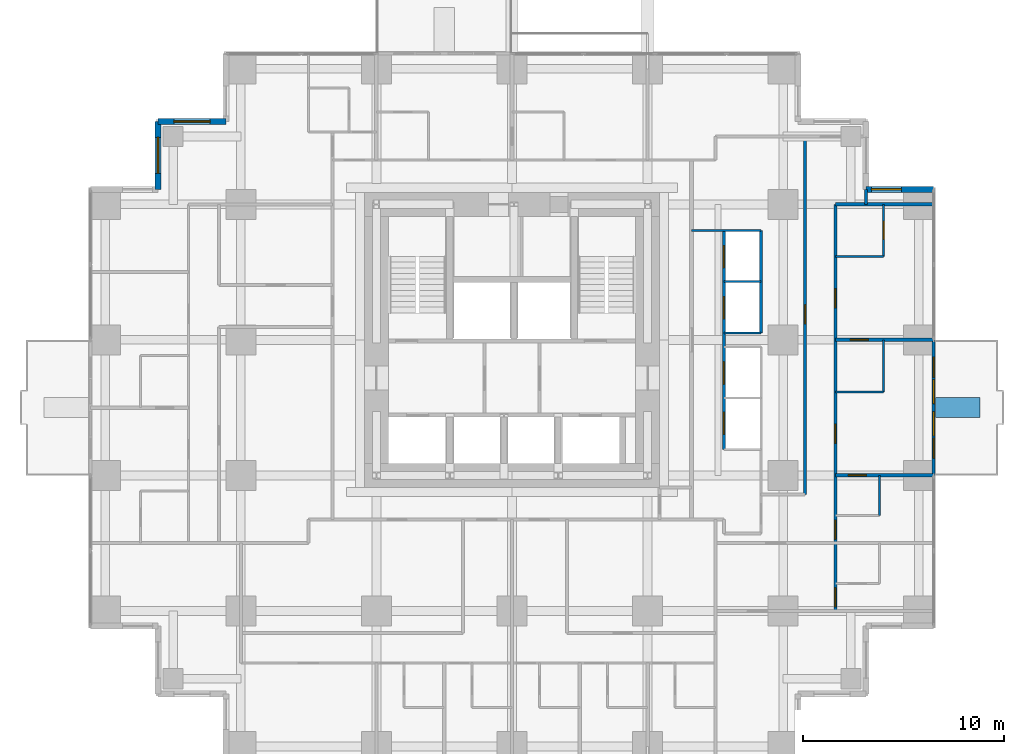
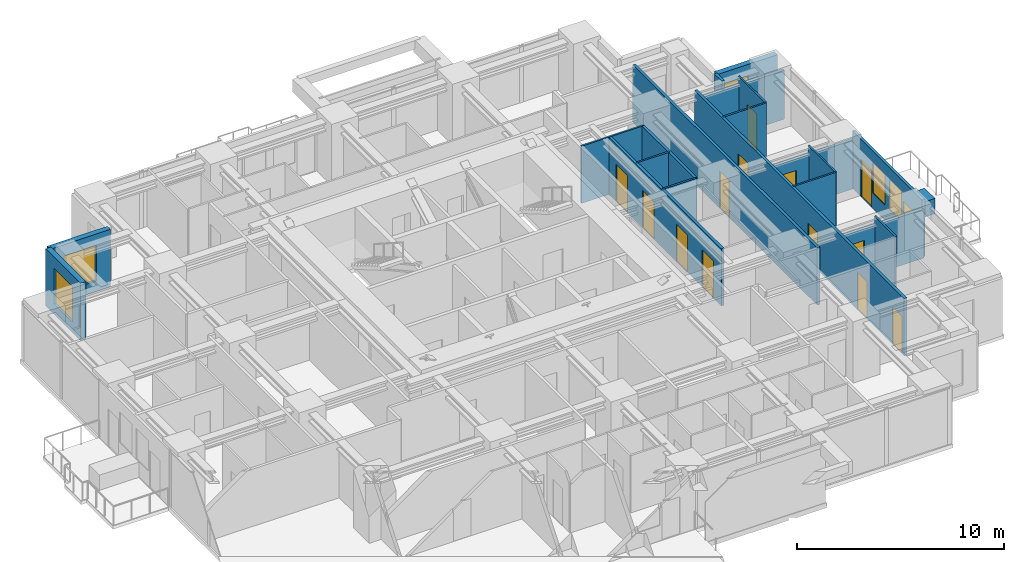
# One storey, part 10 of 13: 21 walls, 14 doors, 5 windows, 19 openings.
"""IFC4 building model written with IfcOpenShell, lengths in metres."""

from ifc_helpers import new_model, si_unit, direction, frame, frame_2d, origin, place, context, subcontext, project, spatial, rectangle, extrude, material, layer, layer_set, type_object, element, fill, save


model = new_model("IFC4")

# Units and contexts
model_context = context("Model", 3, precision=1e-05, world=origin(), true_north=direction((0.0, 1.0)))
body_context = subcontext(model_context, "Body", "Model", "MODEL_VIEW")
ifc_project = project(units=[si_unit("LENGTHUNIT", "METRE"), si_unit("AREAUNIT", "SQUARE_METRE"), si_unit("VOLUMEUNIT", "CUBIC_METRE"), si_unit("PLANEANGLEUNIT", "RADIAN"), si_unit("MASSUNIT", "GRAM", prefix="KILO")], contexts=[model_context])

# Site, building, storey
site_placement = place(None, origin())
site = spatial("IfcSite", under=ifc_project, at=site_placement, CompositionType="ELEMENT")
building_placement = place(site_placement, origin())
building = spatial("IfcBuilding", under=site, at=building_placement, Name="Nyansa Garden Tower", CompositionType="ELEMENT")
storey_placement = place(building_placement, frame((0.0, 0.0, 123.300048828125)))
storey = spatial("IfcBuildingStorey", under=building, at=storey_placement, Name="L33", CompositionType="ELEMENT", Elevation=123.300048828125)

# Wall, opening, door
ifc_material_1 = material(Name="Dense blockwork, plastered both sides, 55 dB", Category="masonry")
ifc_layer_1 = layer(ifc_material_1, 0.175048828125)
ifc_layer_set_1 = layer_set([ifc_layer_1], Name="Acoustic party wall PW175")
wall_type_1 = type_object("IfcWallType", Name="Acoustic party wall PW175", PredefinedType="PARTITIONING", material=ifc_layer_set_1)
wall_1_placement = place(storey_placement, frame((36.35009765625, 13.5, 0.0), z_axis=(0.0, 0.0, 1.0), x_axis=(1.0, 0.0, 0.0)))
wall_1 = element("IfcWall", 1, at=wall_1_placement, inside=storey, type_object=wall_type_1, Name="Party wall", PredefinedType="PARTITIONING", context=body_context, shape_type="SweptSolid", body=[
    extrude(rectangle(XDim=4.8837890625, YDim=0.175048828125, at=frame_2d((2.44189453125, 0.0))), origin(), (0.0, 0.0, 1.0), 2.876953125),
])
opening_1_placement = place(wall_1_placement, frame((0.64990234375, 0.0, 0.0)))
opening_1 = element("IfcOpeningElement", 2, at=opening_1_placement, cuts=wall_1, Name="Opening D02", PredefinedType="OPENING", context=body_context, shape_type="SweptSolid", body=[
    extrude(rectangle(XDim=0.89990234375, YDim=2.199951171875, at=frame_2d((0.449951171875, 1.10009765625))), frame((0.0, 0.097412109375, 0.0), z_axis=(0.0, -1.0, 0.0), x_axis=(1.0, 0.0, 0.0)), (0.0, 0.0, 1.0), 0.195068359375),
])
ifc_material_2 = material(Name="Timber flush door", Category="wood")
door_type_1 = type_object("IfcDoorType", Name="En-suite door D02 900x2200", OperationType="SINGLE_SWING_RIGHT", PredefinedType="DOOR", material=ifc_material_2)
door_1_placement = place(opening_1_placement, origin())
door_1 = element("IfcDoor", 3, at=door_1_placement, inside=storey, type_object=door_type_1, Name="Door L33-041", OperationType="SINGLE_SWING_RIGHT", OverallHeight=2.199951171875, OverallWidth=0.89990234375, PredefinedType="DOOR", context=body_context, shape_type="SweptSolid", body=[
    extrude(rectangle(XDim=0.89990234375, YDim=2.199951171875, at=frame_2d((0.449951171875, 1.10009765625))), frame((0.0, 0.02490234375, 0.0), z_axis=(0.0, -1.0, 0.0), x_axis=(1.0, 0.0, 0.0)), (0.0, 0.0, 1.0), 0.050048828125),
])
fill(opening_1, door_1)

wall_2_placement = place(storey_placement, frame((36.35009765625, 20.25, 0.0), z_axis=(0.0, 0.0, 1.0), x_axis=(1.0, 0.0, 0.0)))
wall_2 = element("IfcWall", 4, at=wall_2_placement, inside=storey, type_object=wall_type_1, Name="Party wall", PredefinedType="PARTITIONING", context=body_context, shape_type="SweptSolid", body=[
    extrude(rectangle(XDim=4.8837890625, YDim=0.175048828125, at=frame_2d((2.44189453125, 0.0))), origin(), (0.0, 0.0, 1.0), 2.876953125),
])
opening_2_placement = place(wall_2_placement, frame((0.75, 0.0, 0.0)))
opening_2 = element("IfcOpeningElement", 5, at=opening_2_placement, cuts=wall_2, Name="Opening D02", PredefinedType="OPENING", context=body_context, shape_type="SweptSolid", body=[
    extrude(rectangle(XDim=0.89990234375, YDim=2.199951171875, at=frame_2d((0.449951171875, 1.10009765625))), frame((0.0, 0.097412109375, 0.0), z_axis=(0.0, -1.0, 0.0), x_axis=(1.0, 0.0, 0.0)), (0.0, 0.0, 1.0), 0.195068359375),
])
door_2_placement = place(opening_2_placement, origin())
door_2 = element("IfcDoor", 6, at=door_2_placement, inside=storey, type_object=door_type_1, Name="Door L33-039", OperationType="SINGLE_SWING_RIGHT", OverallHeight=2.199951171875, OverallWidth=0.89990234375, PredefinedType="DOOR", context=body_context, shape_type="SweptSolid", body=[
    extrude(rectangle(XDim=0.89990234375, YDim=2.199951171875, at=frame_2d((0.449951171875, 1.10009765625))), frame((0.0, 0.02490234375, 0.0), z_axis=(0.0, -1.0, 0.0), x_axis=(1.0, 0.0, 0.0)), (0.0, 0.0, 1.0), 0.050048828125),
])
fill(opening_2, door_2)

# Wall
wall_3_placement = place(storey_placement, frame((36.35009765625, 27.0, 0.0), z_axis=(0.0, 0.0, 1.0), x_axis=(1.0, 0.0, 0.0)))
element("IfcWall", 7, at=wall_3_placement, inside=storey, type_object=wall_type_1, Name="Party wall", PredefinedType="PARTITIONING", context=body_context, shape_type="SweptSolid", body=[
    extrude(rectangle(XDim=4.8837890625, YDim=0.175048828125, at=frame_2d((2.44189453125, 0.0))), origin(), (0.0, 0.0, 1.0), 2.876953125),
])

# Wall, openings, doors, windows
ifc_material_3 = material(Name="Black aluminium framed glazed screen", Category="aluminium")
ifc_layer_2 = layer(ifc_material_3, 0.14990234375)
ifc_layer_set_2 = layer_set([ifc_layer_2], Name="Balcony screen wall BW150")
wall_type_2 = type_object("IfcWallType", Name="Balcony screen wall BW150", PredefinedType="SOLIDWALL", material=ifc_layer_set_2)
wall_4_placement = place(storey_placement, frame((41.25, 20.25, 0.0), z_axis=(0.0, 0.0, 1.0), x_axis=(0.0, -1.0, 0.0)))
wall_4 = element("IfcWall", 8, at=wall_4_placement, inside=storey, type_object=wall_type_2, Name="Glazed screen wall L33 E", PredefinedType="SOLIDWALL", context=body_context, shape_type="SweptSolid", body=[
    extrude(rectangle(XDim=6.75, YDim=0.14990234375, at=frame_2d((3.375, 0.0))), origin(), (0.0, 0.0, 1.0), 3.375),
])
opening_3_placement = place(wall_4_placement, frame((0.862548828125, 0.0, 0.0)))
opening_3 = element("IfcOpeningElement", 9, at=opening_3_placement, cuts=wall_4, Name="Opening D20", PredefinedType="OPENING", context=body_context, shape_type="SweptSolid", body=[
    extrude(rectangle(XDim=1.0, YDim=2.199951171875, at=frame_2d((0.5, 1.10009765625))), frame((0.0, 0.0849609375, 0.0), z_axis=(0.0, -1.0, 0.0), x_axis=(1.0, 0.0, 0.0)), (0.0, 0.0, 1.0), 0.169921875),
])
opening_4_placement = place(wall_4_placement, frame((1.97509765625, 0.0, 0.89990234375)))
opening_4 = element("IfcOpeningElement", 10, at=opening_4_placement, cuts=wall_4, Name="Opening W6", PredefinedType="OPENING", context=body_context, shape_type="SweptSolid", body=[
    extrude(rectangle(XDim=1.199951171875, YDim=1.800048828125, at=frame_2d((0.60009765625, 0.89990234375))), frame((0.0, 0.0849609375, 0.0), z_axis=(0.0, -1.0, 0.0), x_axis=(1.0, 0.0, 0.0)), (0.0, 0.0, 1.0), 0.169921875),
])
opening_5_placement = place(wall_4_placement, frame((4.887451171875, 0.0, 0.0)))
opening_5 = element("IfcOpeningElement", 11, at=opening_5_placement, cuts=wall_4, Name="Opening D20", PredefinedType="OPENING", context=body_context, shape_type="SweptSolid", body=[
    extrude(rectangle(XDim=1.0, YDim=2.199951171875, at=frame_2d((0.5, 1.10009765625))), frame((0.0, 0.0849609375, 0.0), z_axis=(0.0, -1.0, 0.0), x_axis=(1.0, 0.0, 0.0)), (0.0, 0.0, 1.0), 0.169921875),
])
opening_6_placement = place(wall_4_placement, frame((3.574951171875, 0.0, 0.89990234375)))
opening_6 = element("IfcOpeningElement", 12, at=opening_6_placement, cuts=wall_4, Name="Opening W6", PredefinedType="OPENING", context=body_context, shape_type="SweptSolid", body=[
    extrude(rectangle(XDim=1.199951171875, YDim=1.800048828125, at=frame_2d((0.60009765625, 0.89990234375))), frame((0.0, 0.0849609375, 0.0), z_axis=(0.0, -1.0, 0.0), x_axis=(1.0, 0.0, 0.0)), (0.0, 0.0, 1.0), 0.169921875),
])
ifc_material_4 = material(Name="Black aluminium framed glazed door", Category="aluminium")
door_type_2 = type_object("IfcDoorType", Name="Balcony door D20 1000x2200", OperationType="NOTDEFINED", PredefinedType="DOOR", material=ifc_material_4)
door_3_placement = place(opening_3_placement, origin())
door_3 = element("IfcDoor", 13, at=door_3_placement, inside=storey, type_object=door_type_2, Name="Balcony door L33", OperationType="SINGLE_SWING_LEFT", OverallHeight=2.199951171875, OverallWidth=1.0, PredefinedType="DOOR", context=body_context, shape_type="SweptSolid", body=[
    extrude(rectangle(XDim=1.0, YDim=2.199951171875, at=frame_2d((0.5, 1.10009765625))), frame((0.0, 0.02490234375, 0.0), z_axis=(0.0, -1.0, 0.0), x_axis=(1.0, 0.0, 0.0)), (0.0, 0.0, 1.0), 0.050048828125),
])
fill(opening_3, door_3)
door_4_placement = place(opening_5_placement, origin())
door_4 = element("IfcDoor", 14, at=door_4_placement, inside=storey, type_object=door_type_2, Name="Balcony door L33", OperationType="SINGLE_SWING_RIGHT", OverallHeight=2.199951171875, OverallWidth=1.0, PredefinedType="DOOR", context=body_context, shape_type="SweptSolid", body=[
    extrude(rectangle(XDim=1.0, YDim=2.199951171875, at=frame_2d((0.5, 1.10009765625))), frame((0.0, 0.02490234375, 0.0), z_axis=(0.0, -1.0, 0.0), x_axis=(1.0, 0.0, 0.0)), (0.0, 0.0, 1.0), 0.050048828125),
])
fill(opening_5, door_4)
ifc_material_5 = material(Name="Black aluminium frame, dark tinted double glazing", Category="aluminium")
window_type_1 = type_object("IfcWindowType", Name="Balcony window W6 1200x1800", PartitioningType="SINGLE_PANEL", PredefinedType="WINDOW", material=ifc_material_5)
window_1_placement = place(opening_4_placement, origin())
window_1 = element("IfcWindow", 15, at=window_1_placement, inside=storey, type_object=window_type_1, Name="Window L33", OverallHeight=1.800048828125, OverallWidth=1.199951171875, PartitioningType="SINGLE_PANEL", PredefinedType="WINDOW", context=body_context, shape_type="SweptSolid", body=[
    extrude(rectangle(XDim=1.199951171875, YDim=1.800048828125, at=frame_2d((0.60009765625, 0.89990234375))), frame((0.0, 0.030029296875, 0.0), z_axis=(0.0, -1.0, 0.0), x_axis=(1.0, 0.0, 0.0)), (0.0, 0.0, 1.0), 0.06005859375),
])
fill(opening_4, window_1)
window_2_placement = place(opening_6_placement, origin())
window_2 = element("IfcWindow", 16, at=window_2_placement, inside=storey, type_object=window_type_1, Name="Window L33", OverallHeight=1.800048828125, OverallWidth=1.199951171875, PartitioningType="SINGLE_PANEL", PredefinedType="WINDOW", context=body_context, shape_type="SweptSolid", body=[
    extrude(rectangle(XDim=1.199951171875, YDim=1.800048828125, at=frame_2d((0.60009765625, 0.89990234375))), frame((0.0, 0.030029296875, 0.0), z_axis=(0.0, -1.0, 0.0), x_axis=(1.0, 0.0, 0.0)), (0.0, 0.0, 1.0), 0.06005859375),
])
fill(opening_6, window_2)

# Walls
ifc_material_6 = material(Name="Steel-stud shaft wall, two layers fire-rated board, EI 120", Category="steel")
ifc_layer_3 = layer(ifc_material_6, 0.10009765625)
ifc_layer_set_3 = layer_set([ifc_layer_3], Name="Lift shaft wall SW100")
wall_type_3 = type_object("IfcWallType", Name="Lift shaft wall SW100", PredefinedType="SHEAR", material=ifc_layer_set_3)
wall_5_placement = place(storey_placement, frame((29.199951171875, 25.699951171875, 0.0), z_axis=(0.0, 0.0, 1.0), x_axis=(1.0, 0.0, 0.0)))
element("IfcWall", 17, at=wall_5_placement, inside=storey, type_object=wall_type_3, Name="Lift shaft wall", PredefinedType="SHEAR", context=body_context, shape_type="SweptSolid", body=[
    extrude(rectangle(XDim=3.449951171875, YDim=0.10009765625, at=frame_2d((1.72509765625, 0.0))), origin(), (0.0, 0.0, 1.0), 3.375),
])
for number, where, z_axis, x_axis, name in (
    (18, (30.800048828125, 20.60009765625, 0.0), (0.0, 0.0, 1.0), (1.0, 0.0, 0.0), "Lift shaft wall"),
    (19, (30.800048828125, 23.14990234375, 0.0), (0.0, 0.0, 1.0), (1.0, 0.0, 0.0), "Lift shaft wall"),
):
    element("IfcWall", number, at=place(storey_placement, frame(where, z_axis=z_axis, x_axis=x_axis)), inside=storey, type_object=wall_type_3, Name=name, PredefinedType="SHEAR", context=body_context, shape_type="SweptSolid", body=[
        extrude(rectangle(XDim=1.849853515625, YDim=0.10009765625, at=frame_2d((0.9248046875, 0.0))), origin(), (0.0, 0.0, 1.0), 3.375),
    ])

# Wall, openings, doors
ifc_material_7 = material(Name="Blockwork, plastered both sides", Category="masonry")
ifc_layer_4 = layer(ifc_material_7, 0.14990234375)
ifc_layer_set_4 = layer_set([ifc_layer_4], Name="Partition PW150")
wall_type_4 = type_object("IfcWallType", Name="Partition PW150", PredefinedType="PARTITIONING", material=ifc_layer_set_4)
wall_6_placement = place(storey_placement, frame((30.800048828125, 14.800048828125, 0.0), z_axis=(0.0, 0.0, 1.0), x_axis=(0.0, 1.0, 0.0)))
wall_6 = element("IfcWall", 20, at=wall_6_placement, inside=storey, type_object=wall_type_4, Name="Partition", PredefinedType="PARTITIONING", context=body_context, shape_type="SweptSolid", body=[
    extrude(rectangle(XDim=10.89990234375, YDim=0.14990234375, at=frame_2d((5.449951171875, 0.0))), origin(), (0.0, 0.0, 1.0), 3.375),
])
opening_7_placement = place(wall_6_placement, frame((0.75, 0.0, 0.0)))
opening_7 = element("IfcOpeningElement", 21, at=opening_7_placement, cuts=wall_6, Name="Opening LD-A", PredefinedType="OPENING", context=body_context, shape_type="SweptSolid", body=[
    extrude(rectangle(XDim=1.10009765625, YDim=2.199951171875, at=frame_2d((0.550048828125, 1.10009765625))), frame((0.0, 0.0849609375, 0.0), z_axis=(0.0, -1.0, 0.0), x_axis=(1.0, 0.0, 0.0)), (0.0, 0.0, 1.0), 0.169921875),
])
opening_8_placement = place(wall_6_placement, frame((3.25, 0.0, 0.0)))
opening_8 = element("IfcOpeningElement", 22, at=opening_8_placement, cuts=wall_6, Name="Opening LD-A", PredefinedType="OPENING", context=body_context, shape_type="SweptSolid", body=[
    extrude(rectangle(XDim=1.10009765625, YDim=2.199951171875, at=frame_2d((0.550048828125, 1.10009765625))), frame((0.0, 0.0849609375, 0.0), z_axis=(0.0, -1.0, 0.0), x_axis=(1.0, 0.0, 0.0)), (0.0, 0.0, 1.0), 0.169921875),
])
opening_9_placement = place(wall_6_placement, frame((6.5, 0.0, 0.0)))
opening_9 = element("IfcOpeningElement", 23, at=opening_9_placement, cuts=wall_6, Name="Opening LD-A", PredefinedType="OPENING", context=body_context, shape_type="SweptSolid", body=[
    extrude(rectangle(XDim=1.10009765625, YDim=2.199951171875, at=frame_2d((0.550048828125, 1.10009765625))), frame((0.0, 0.0849609375, 0.0), z_axis=(0.0, -1.0, 0.0), x_axis=(1.0, 0.0, 0.0)), (0.0, 0.0, 1.0), 0.169921875),
])
opening_10_placement = place(wall_6_placement, frame((9.050048828125, 0.0, 0.0)))
opening_10 = element("IfcOpeningElement", 24, at=opening_10_placement, cuts=wall_6, Name="Opening LD-A", PredefinedType="OPENING", context=body_context, shape_type="SweptSolid", body=[
    extrude(rectangle(XDim=1.10009765625, YDim=2.199951171875, at=frame_2d((0.550048828125, 1.10009765625))), frame((0.0, 0.0849609375, 0.0), z_axis=(0.0, -1.0, 0.0), x_axis=(1.0, 0.0, 0.0)), (0.0, 0.0, 1.0), 0.169921875),
])
ifc_material_8 = material(Name="Stainless steel centre-opening landing door of the low-rise lift, E 120", Category="steel")
door_type_3 = type_object("IfcDoorType", Name="Lift landing door LD-A 1100x2200", OperationType="DOUBLE_DOOR_SLIDING", PredefinedType="DOOR", material=ifc_material_8)
door_5_placement = place(opening_7_placement, origin())
door_5 = element("IfcDoor", 25, at=door_5_placement, inside=storey, type_object=door_type_3, Name="Landing door A1", OperationType="DOUBLE_DOOR_SLIDING", OverallHeight=2.199951171875, OverallWidth=1.10009765625, PredefinedType="DOOR", context=body_context, shape_type="SweptSolid", body=[
    extrude(rectangle(XDim=1.10009765625, YDim=2.199951171875, at=frame_2d((0.550048828125, 1.10009765625))), frame((0.0, 0.02490234375, 0.0), z_axis=(0.0, -1.0, 0.0), x_axis=(1.0, 0.0, 0.0)), (0.0, 0.0, 1.0), 0.050048828125),
])
fill(opening_7, door_5)
door_6_placement = place(opening_8_placement, origin())
door_6 = element("IfcDoor", 26, at=door_6_placement, inside=storey, type_object=door_type_3, Name="Landing door A2", OperationType="DOUBLE_DOOR_SLIDING", OverallHeight=2.199951171875, OverallWidth=1.10009765625, PredefinedType="DOOR", context=body_context, shape_type="SweptSolid", body=[
    extrude(rectangle(XDim=1.10009765625, YDim=2.199951171875, at=frame_2d((0.550048828125, 1.10009765625))), frame((0.0, 0.02490234375, 0.0), z_axis=(0.0, -1.0, 0.0), x_axis=(1.0, 0.0, 0.0)), (0.0, 0.0, 1.0), 0.050048828125),
])
fill(opening_8, door_6)
door_7_placement = place(opening_9_placement, origin())
door_7 = element("IfcDoor", 27, at=door_7_placement, inside=storey, type_object=door_type_3, Name="Landing door A3", OperationType="DOUBLE_DOOR_SLIDING", OverallHeight=2.199951171875, OverallWidth=1.10009765625, PredefinedType="DOOR", context=body_context, shape_type="SweptSolid", body=[
    extrude(rectangle(XDim=1.10009765625, YDim=2.199951171875, at=frame_2d((0.550048828125, 1.10009765625))), frame((0.0, 0.02490234375, 0.0), z_axis=(0.0, -1.0, 0.0), x_axis=(1.0, 0.0, 0.0)), (0.0, 0.0, 1.0), 0.050048828125),
])
fill(opening_9, door_7)
door_8_placement = place(opening_10_placement, origin())
door_8 = element("IfcDoor", 28, at=door_8_placement, inside=storey, type_object=door_type_3, Name="Landing door A4", OperationType="DOUBLE_DOOR_SLIDING", OverallHeight=2.199951171875, OverallWidth=1.10009765625, PredefinedType="DOOR", context=body_context, shape_type="SweptSolid", body=[
    extrude(rectangle(XDim=1.10009765625, YDim=2.199951171875, at=frame_2d((0.550048828125, 1.10009765625))), frame((0.0, 0.02490234375, 0.0), z_axis=(0.0, -1.0, 0.0), x_axis=(1.0, 0.0, 0.0)), (0.0, 0.0, 1.0), 0.050048828125),
])
fill(opening_10, door_8)

# Wall
wall_7_placement = place(storey_placement, frame((32.64990234375, 20.60009765625, 0.0), z_axis=(0.0, 0.0, 1.0), x_axis=(0.0, 1.0, 0.0)))
element("IfcWall", 29, at=wall_7_placement, inside=storey, type_object=wall_type_4, Name="Partition", PredefinedType="PARTITIONING", context=body_context, shape_type="SweptSolid", body=[
    extrude(rectangle(XDim=5.099853515625, YDim=0.14990234375, at=frame_2d((2.5498046875, 0.0))), origin(), (0.0, 0.0, 1.0), 3.375),
])

# Wall, opening, door
wall_8_placement = place(storey_placement, frame((34.85009765625, 12.550048828125, 0.0), z_axis=(0.0, 0.0, 1.0), x_axis=(0.0, 1.0, 0.0)))
wall_8 = element("IfcWall", 30, at=wall_8_placement, inside=storey, type_object=wall_type_4, Name="Partition", PredefinedType="PARTITIONING", context=body_context, shape_type="SweptSolid", body=[
    extrude(rectangle(XDim=17.824951171875, YDim=0.14990234375, at=frame_2d((8.91259765625, 0.0))), origin(), (0.0, 0.0, 1.0), 3.375),
])
opening_11_placement = place(wall_8_placement, frame((8.5, 0.0, 0.0)))
opening_11 = element("IfcOpeningElement", 31, at=opening_11_placement, cuts=wall_8, Name="Opening D01", PredefinedType="OPENING", context=body_context, shape_type="SweptSolid", body=[
    extrude(rectangle(XDim=0.949951171875, YDim=2.199951171875, at=frame_2d((0.47509765625, 1.10009765625))), frame((0.0, 0.0849609375, 0.0), z_axis=(0.0, -1.0, 0.0), x_axis=(1.0, 0.0, 0.0)), (0.0, 0.0, 1.0), 0.169921875),
])
ifc_material_9 = material(Name="Timber flush door, 30 minute fire resisting", Category="wood")
door_type_4 = type_object("IfcDoorType", Name="Bedroom door D01 950x2200", OperationType="SINGLE_SWING_LEFT", PredefinedType="DOOR", material=ifc_material_9)
door_9_placement = place(opening_11_placement, origin())
door_9 = element("IfcDoor", 32, at=door_9_placement, inside=storey, type_object=door_type_4, Name="Door L33-043", OperationType="SINGLE_SWING_LEFT", OverallHeight=2.199951171875, OverallWidth=0.949951171875, PredefinedType="DOOR", context=body_context, shape_type="SweptSolid", body=[
    extrude(rectangle(XDim=0.949951171875, YDim=2.199951171875, at=frame_2d((0.47509765625, 1.10009765625))), frame((0.0, 0.02490234375, 0.0), z_axis=(0.0, -1.0, 0.0), x_axis=(1.0, 0.0, 0.0)), (0.0, 0.0, 1.0), 0.050048828125),
])
fill(opening_11, door_9)

# Wall, openings, doors
wall_9_placement = place(storey_placement, frame((36.35009765625, 6.75, 0.0), z_axis=(0.0, 0.0, 1.0), x_axis=(0.0, 1.0, 0.0)))
wall_9 = element("IfcWall", 33, at=wall_9_placement, inside=storey, type_object=wall_type_4, Name="Partition", PredefinedType="PARTITIONING", context=body_context, shape_type="SweptSolid", body=[
    extrude(rectangle(XDim=20.25, YDim=0.14990234375, at=frame_2d((10.125, 0.0))), origin(), (0.0, 0.0, 1.0), 3.375),
])
opening_12_placement = place(wall_9_placement, frame((0.199951171875, 0.0, 0.0)))
opening_12 = element("IfcOpeningElement", 34, at=opening_12_placement, cuts=wall_9, Name="Opening D01", PredefinedType="OPENING", context=body_context, shape_type="SweptSolid", body=[
    extrude(rectangle(XDim=0.949951171875, YDim=2.199951171875, at=frame_2d((0.47509765625, 1.10009765625))), frame((0.0, 0.0849609375, 0.0), z_axis=(0.0, -1.0, 0.0), x_axis=(1.0, 0.0, 0.0)), (0.0, 0.0, 1.0), 0.169921875),
])
opening_13_placement = place(wall_9_placement, frame((15.10009765625, 0.0, 0.0)))
opening_13 = element("IfcOpeningElement", 35, at=opening_13_placement, cuts=wall_9, Name="Opening D14", PredefinedType="OPENING", context=body_context, shape_type="SweptSolid", body=[
    extrude(rectangle(XDim=0.949951171875, YDim=2.199951171875, at=frame_2d((0.47509765625, 1.10009765625))), frame((0.0, 0.0849609375, 0.0), z_axis=(0.0, -1.0, 0.0), x_axis=(1.0, 0.0, 0.0)), (0.0, 0.0, 1.0), 0.169921875),
])
opening_14_placement = place(wall_9_placement, frame((8.35009765625, 0.0, 0.0)))
opening_14 = element("IfcOpeningElement", 36, at=opening_14_placement, cuts=wall_9, Name="Opening D14", PredefinedType="OPENING", context=body_context, shape_type="SweptSolid", body=[
    extrude(rectangle(XDim=0.949951171875, YDim=2.199951171875, at=frame_2d((0.47509765625, 1.10009765625))), frame((0.0, 0.0849609375, 0.0), z_axis=(0.0, -1.0, 0.0), x_axis=(1.0, 0.0, 0.0)), (0.0, 0.0, 1.0), 0.169921875),
])
opening_15_placement = place(wall_9_placement, frame((3.574951171875, 0.0, 0.0)))
opening_15 = element("IfcOpeningElement", 37, at=opening_15_placement, cuts=wall_9, Name="Opening D14", PredefinedType="OPENING", context=body_context, shape_type="SweptSolid", body=[
    extrude(rectangle(XDim=0.949951171875, YDim=2.199951171875, at=frame_2d((0.47509765625, 1.10009765625))), frame((0.0, 0.0849609375, 0.0), z_axis=(0.0, -1.0, 0.0), x_axis=(1.0, 0.0, 0.0)), (0.0, 0.0, 1.0), 0.169921875),
])
door_10_placement = place(opening_12_placement, origin())
door_10 = element("IfcDoor", 38, at=door_10_placement, inside=storey, type_object=door_type_4, Name="Door L33-033", OperationType="SINGLE_SWING_LEFT", OverallHeight=2.199951171875, OverallWidth=0.949951171875, PredefinedType="DOOR", context=body_context, shape_type="SweptSolid", body=[
    extrude(rectangle(XDim=0.949951171875, YDim=2.199951171875, at=frame_2d((0.47509765625, 1.10009765625))), frame((0.0, 0.02490234375, 0.0), z_axis=(0.0, -1.0, 0.0), x_axis=(1.0, 0.0, 0.0)), (0.0, 0.0, 1.0), 0.050048828125),
])
fill(opening_12, door_10)
ifc_material_10 = material(Name="Timber flush door, 60 minute fire resisting, self-closing", Category="wood")
door_type_5 = type_object("IfcDoorType", Name="Studio entrance door D14 950x2200", OperationType="SINGLE_SWING_LEFT", PredefinedType="DOOR", material=ifc_material_10)
door_11_placement = place(opening_13_placement, origin())
door_11 = element("IfcDoor", 39, at=door_11_placement, inside=storey, type_object=door_type_5, Name="Door L33-036", OperationType="SINGLE_SWING_LEFT", OverallHeight=2.199951171875, OverallWidth=0.949951171875, PredefinedType="DOOR", context=body_context, shape_type="SweptSolid", body=[
    extrude(rectangle(XDim=0.949951171875, YDim=2.199951171875, at=frame_2d((0.47509765625, 1.10009765625))), frame((0.0, 0.02490234375, 0.0), z_axis=(0.0, -1.0, 0.0), x_axis=(1.0, 0.0, 0.0)), (0.0, 0.0, 1.0), 0.050048828125),
])
fill(opening_13, door_11)
door_12_placement = place(opening_14_placement, origin())
door_12 = element("IfcDoor", 40, at=door_12_placement, inside=storey, type_object=door_type_5, Name="Door L33-038", OperationType="SINGLE_SWING_LEFT", OverallHeight=2.199951171875, OverallWidth=0.949951171875, PredefinedType="DOOR", context=body_context, shape_type="SweptSolid", body=[
    extrude(rectangle(XDim=0.949951171875, YDim=2.199951171875, at=frame_2d((0.47509765625, 1.10009765625))), frame((0.0, 0.02490234375, 0.0), z_axis=(0.0, -1.0, 0.0), x_axis=(1.0, 0.0, 0.0)), (0.0, 0.0, 1.0), 0.050048828125),
])
fill(opening_14, door_12)
door_13_placement = place(opening_15_placement, origin())
door_13 = element("IfcDoor", 41, at=door_13_placement, inside=storey, type_object=door_type_5, Name="Door L33-040", OperationType="SINGLE_SWING_LEFT", OverallHeight=2.199951171875, OverallWidth=0.949951171875, PredefinedType="DOOR", context=body_context, shape_type="SweptSolid", body=[
    extrude(rectangle(XDim=0.949951171875, YDim=2.199951171875, at=frame_2d((0.47509765625, 1.10009765625))), frame((0.0, 0.02490234375, 0.0), z_axis=(0.0, -1.0, 0.0), x_axis=(1.0, 0.0, 0.0)), (0.0, 0.0, 1.0), 0.050048828125),
])
fill(opening_15, door_13)

# Wall
wall_10_placement = place(storey_placement, frame((37.875, 27.0, 0.0), z_axis=(0.0, 0.0, 1.0), x_axis=(0.0, 1.0, 0.0)))
element("IfcWall", 42, at=wall_10_placement, inside=storey, type_object=wall_type_4, Name="Partition", PredefinedType="PARTITIONING", context=body_context, shape_type="SweptSolid", body=[
    extrude(rectangle(XDim=0.73388671875, YDim=0.14990234375, at=frame_2d((0.366943359375, 0.0))), origin(), (0.0, 0.0, 1.0), 3.375),
])

# Wall, opening, window
ifc_material_11 = material(Name="Turquoise glazed tile on concrete blockwork", Category="masonry")
ifc_layer_5 = layer(ifc_material_11, 0.300048828125)
ifc_layer_set_5 = layer_set([ifc_layer_5], Name="Tiled corner wall TW300")
wall_type_5 = type_object("IfcWallType", Name="Tiled corner wall TW300", PredefinedType="SOLIDWALL", material=ifc_layer_set_5)
wall_11_placement = place(storey_placement, frame((41.25, 27.75, 0.0), z_axis=(0.0, 0.0, 1.0), x_axis=(-1.0, 0.0, 0.0)))
wall_11 = element("IfcWall", 43, at=wall_11_placement, inside=storey, type_object=wall_type_5, Name="Tiled corner wall L33", PredefinedType="SOLIDWALL", context=body_context, shape_type="SweptSolid", body=[
    extrude(rectangle(XDim=3.375, YDim=0.300048828125, at=frame_2d((1.6875, 0.0))), origin(), (0.0, 0.0, 1.0), 3.375),
])
opening_16_placement = place(wall_11_placement, frame((1.607421875, 0.0, 0.89990234375)))
opening_16 = element("IfcOpeningElement", 44, at=opening_16_placement, cuts=wall_11, Name="Opening W1", PredefinedType="OPENING", context=body_context, shape_type="SweptSolid", body=[
    extrude(rectangle(XDim=1.5, YDim=1.800048828125, at=frame_2d((0.75, 0.89990234375))), frame((0.0, 0.159912109375, 0.0), z_axis=(0.0, -1.0, 0.0), x_axis=(1.0, 0.0, 0.0)), (0.0, 0.0, 1.0), 0.320068359375),
])
ifc_material_12 = material(Name="Black aluminium frame, dark tinted double glazing", Category="aluminium")
window_type_2 = type_object("IfcWindowType", Name="Window W1 1500x1800", PartitioningType="SINGLE_PANEL", PredefinedType="WINDOW", material=ifc_material_12)
window_3_placement = place(opening_16_placement, origin())
window_3 = element("IfcWindow", 45, at=window_3_placement, inside=storey, type_object=window_type_2, Name="Corner window L33", OverallHeight=1.800048828125, OverallWidth=1.5, PartitioningType="SINGLE_PANEL", PredefinedType="WINDOW", context=body_context, shape_type="SweptSolid", body=[
    extrude(rectangle(XDim=1.5, YDim=1.800048828125, at=frame_2d((0.75, 0.89990234375))), frame((0.0, 0.030029296875, 0.0), z_axis=(0.0, -1.0, 0.0), x_axis=(1.0, 0.0, 0.0)), (0.0, 0.0, 1.0), 0.06005859375),
])
fill(opening_16, window_3)

wall_12_placement = place(storey_placement, frame((6.0, 31.125, 0.0), z_axis=(0.0, 0.0, 1.0), x_axis=(-1.0, 0.0, 0.0)))
wall_12 = element("IfcWall", 46, at=wall_12_placement, inside=storey, type_object=wall_type_5, Name="Tiled corner wall L33", PredefinedType="SOLIDWALL", context=body_context, shape_type="SweptSolid", body=[
    extrude(rectangle(XDim=3.375, YDim=0.300048828125, at=frame_2d((1.6875, 0.0))), origin(), (0.0, 0.0, 1.0), 3.375),
])
opening_17_placement = place(wall_12_placement, frame((0.78759765625, 0.0, 0.60009765625)))
opening_17 = element("IfcOpeningElement", 47, at=opening_17_placement, cuts=wall_12, Name="Opening W2", PredefinedType="OPENING", context=body_context, shape_type="SweptSolid", body=[
    extrude(rectangle(XDim=1.800048828125, YDim=2.10009765625, at=frame_2d((0.89990234375, 1.050048828125))), frame((0.0, 0.159912109375, 0.0), z_axis=(0.0, -1.0, 0.0), x_axis=(1.0, 0.0, 0.0)), (0.0, 0.0, 1.0), 0.320068359375),
])
ifc_material_13 = material(Name="Black aluminium frame, dark tinted double glazing", Category="aluminium")
window_type_3 = type_object("IfcWindowType", Name="Window W2 1800x2100", PartitioningType="SINGLE_PANEL", PredefinedType="WINDOW", material=ifc_material_13)
window_4_placement = place(opening_17_placement, origin())
window_4 = element("IfcWindow", 48, at=window_4_placement, inside=storey, type_object=window_type_3, Name="Corner window L33", OverallHeight=2.10009765625, OverallWidth=1.800048828125, PartitioningType="SINGLE_PANEL", PredefinedType="WINDOW", context=body_context, shape_type="SweptSolid", body=[
    extrude(rectangle(XDim=1.800048828125, YDim=2.10009765625, at=frame_2d((0.89990234375, 1.050048828125))), frame((0.0, 0.030029296875, 0.0), z_axis=(0.0, -1.0, 0.0), x_axis=(1.0, 0.0, 0.0)), (0.0, 0.0, 1.0), 0.06005859375),
])
fill(opening_17, window_4)

wall_13_placement = place(storey_placement, frame((2.625, 31.125, 0.0), z_axis=(0.0, 0.0, 1.0), x_axis=(0.0, -1.0, 0.0)))
wall_13 = element("IfcWall", 49, at=wall_13_placement, inside=storey, type_object=wall_type_5, Name="Tiled corner wall L33", PredefinedType="SOLIDWALL", context=body_context, shape_type="SweptSolid", body=[
    extrude(rectangle(XDim=3.375, YDim=0.300048828125, at=frame_2d((1.6875, 0.0))), origin(), (0.0, 0.0, 1.0), 3.375),
])
opening_18_placement = place(wall_13_placement, frame((0.78759765625, 0.0, 0.60009765625)))
opening_18 = element("IfcOpeningElement", 50, at=opening_18_placement, cuts=wall_13, Name="Opening W2", PredefinedType="OPENING", context=body_context, shape_type="SweptSolid", body=[
    extrude(rectangle(XDim=1.800048828125, YDim=2.10009765625, at=frame_2d((0.89990234375, 1.050048828125))), frame((0.0, 0.159912109375, 0.0), z_axis=(0.0, -1.0, 0.0), x_axis=(1.0, 0.0, 0.0)), (0.0, 0.0, 1.0), 0.320068359375),
])
window_5_placement = place(opening_18_placement, origin())
window_5 = element("IfcWindow", 51, at=window_5_placement, inside=storey, type_object=window_type_3, Name="Corner window L33", OverallHeight=2.10009765625, OverallWidth=1.800048828125, PartitioningType="SINGLE_PANEL", PredefinedType="WINDOW", context=body_context, shape_type="SweptSolid", body=[
    extrude(rectangle(XDim=1.800048828125, YDim=2.10009765625, at=frame_2d((0.89990234375, 1.050048828125))), frame((0.0, 0.030029296875, 0.0), z_axis=(0.0, -1.0, 0.0), x_axis=(1.0, 0.0, 0.0)), (0.0, 0.0, 1.0), 0.06005859375),
])
fill(opening_18, window_5)

# Walls
ifc_material_14 = material(Name="Concrete C40/50 planter, waterproofed", Category="concrete")
ifc_layer_6 = layer(ifc_material_14, 1.0)
ifc_layer_set_6 = layer_set([ifc_layer_6], Name="Tree planter TP1")
wall_type_6 = type_object("IfcWallType", Name="Tree planter TP1", PredefinedType="USERDEFINED", material=ifc_layer_set_6)
wall_14_placement = place(storey_placement, frame((41.35009765625, 16.875, 0.0), z_axis=(0.0, 0.0, 1.0), x_axis=(1.0, 0.0, 0.0)))
element("IfcWall", 52, at=wall_14_placement, inside=storey, type_object=wall_type_6, Name="Tree planter L33", ObjectType="TREE PLANTER", PredefinedType="USERDEFINED", context=body_context, shape_type="SweptSolid", body=[
    extrude(rectangle(XDim=2.199951171875, YDim=1.0, at=frame_2d((1.10009765625, 0.0))), origin(), (0.0, 0.0, 1.0), 0.89990234375),
])
ifc_material_15 = material(Name="Moisture resistant board on steel studs, tiled", Category="steel")
ifc_layer_7 = layer(ifc_material_15, 0.10009765625)
ifc_layer_set_7 = layer_set([ifc_layer_7], Name="Wet wall PW100")
wall_type_7 = type_object("IfcWallType", Name="Wet wall PW100", PredefinedType="PARTITIONING", material=ifc_layer_set_7)
for number, where, z_axis, x_axis, name in (
    (53, (36.35009765625, 17.64990234375, 0.0), (0.0, 0.0, 1.0), (1.0, 0.0, 0.0), "Wet wall"),
    (54, (36.35009765625, 24.39990234375, 0.0), (0.0, 0.0, 1.0), (1.0, 0.0, 0.0), "Wet wall"),
):
    element("IfcWall", number, at=place(storey_placement, frame(where, z_axis=z_axis, x_axis=x_axis)), inside=storey, type_object=wall_type_7, Name=name, PredefinedType="PARTITIONING", context=body_context, shape_type="SweptSolid", body=[
        extrude(rectangle(XDim=2.39990234375, YDim=0.10009765625, at=frame_2d((1.199951171875, 0.0))), origin(), (0.0, 0.0, 1.0), 3.375),
    ])
wall_15_placement = place(storey_placement, frame((38.550048828125, 11.5, 0.0), z_axis=(0.0, 0.0, 1.0), x_axis=(0.0, 1.0, 0.0)))
element("IfcWall", 55, at=wall_15_placement, inside=storey, type_object=wall_type_7, Name="Wet wall", PredefinedType="PARTITIONING", context=body_context, shape_type="SweptSolid", body=[
    extrude(rectangle(XDim=2.0, YDim=0.10009765625, at=frame_2d((1.0, 0.0))), origin(), (0.0, 0.0, 1.0), 3.375),
])
wall_16_placement = place(storey_placement, frame((38.75, 17.64990234375, 0.0), z_axis=(0.0, 0.0, 1.0), x_axis=(0.0, 1.0, 0.0)))
element("IfcWall", 56, at=wall_16_placement, inside=storey, type_object=wall_type_7, Name="Wet wall", PredefinedType="PARTITIONING", context=body_context, shape_type="SweptSolid", body=[
    extrude(rectangle(XDim=2.60009765625, YDim=0.10009765625, at=frame_2d((1.300048828125, 0.0))), origin(), (0.0, 0.0, 1.0), 3.375),
])

# Wall, opening, door
wall_17_placement = place(storey_placement, frame((38.75, 24.39990234375, 0.0), z_axis=(0.0, 0.0, 1.0), x_axis=(0.0, 1.0, 0.0)))
wall_17 = element("IfcWall", 57, at=wall_17_placement, inside=storey, type_object=wall_type_7, Name="Wet wall", PredefinedType="PARTITIONING", context=body_context, shape_type="SweptSolid", body=[
    extrude(rectangle(XDim=2.60009765625, YDim=0.10009765625, at=frame_2d((1.300048828125, 0.0))), origin(), (0.0, 0.0, 1.0), 3.375),
])
opening_19_placement = place(wall_17_placement, frame((0.85009765625, 0.0, 0.0)))
opening_19 = element("IfcOpeningElement", 58, at=opening_19_placement, cuts=wall_17, Name="Opening D02", PredefinedType="OPENING", context=body_context, shape_type="SweptSolid", body=[
    extrude(rectangle(XDim=0.89990234375, YDim=2.199951171875, at=frame_2d((0.449951171875, 1.10009765625))), frame((0.0, 0.06005859375, 0.0), z_axis=(0.0, -1.0, 0.0), x_axis=(1.0, 0.0, 0.0)), (0.0, 0.0, 1.0), 0.1201171875),
])
door_14_placement = place(opening_19_placement, origin())
door_14 = element("IfcDoor", 59, at=door_14_placement, inside=storey, type_object=door_type_1, Name="Door L33-037", OperationType="SINGLE_SWING_RIGHT", OverallHeight=2.199951171875, OverallWidth=0.89990234375, PredefinedType="DOOR", context=body_context, shape_type="SweptSolid", body=[
    extrude(rectangle(XDim=0.89990234375, YDim=2.199951171875, at=frame_2d((0.449951171875, 1.10009765625))), frame((0.0, 0.02490234375, 0.0), z_axis=(0.0, -1.0, 0.0), x_axis=(1.0, 0.0, 0.0)), (0.0, 0.0, 1.0), 0.050048828125),
])
fill(opening_19, door_14)

save(model, "model.ifc")
